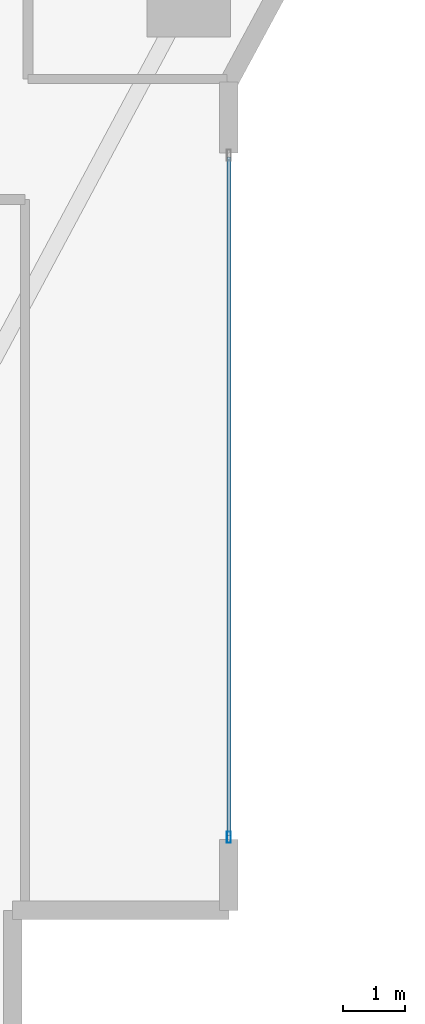
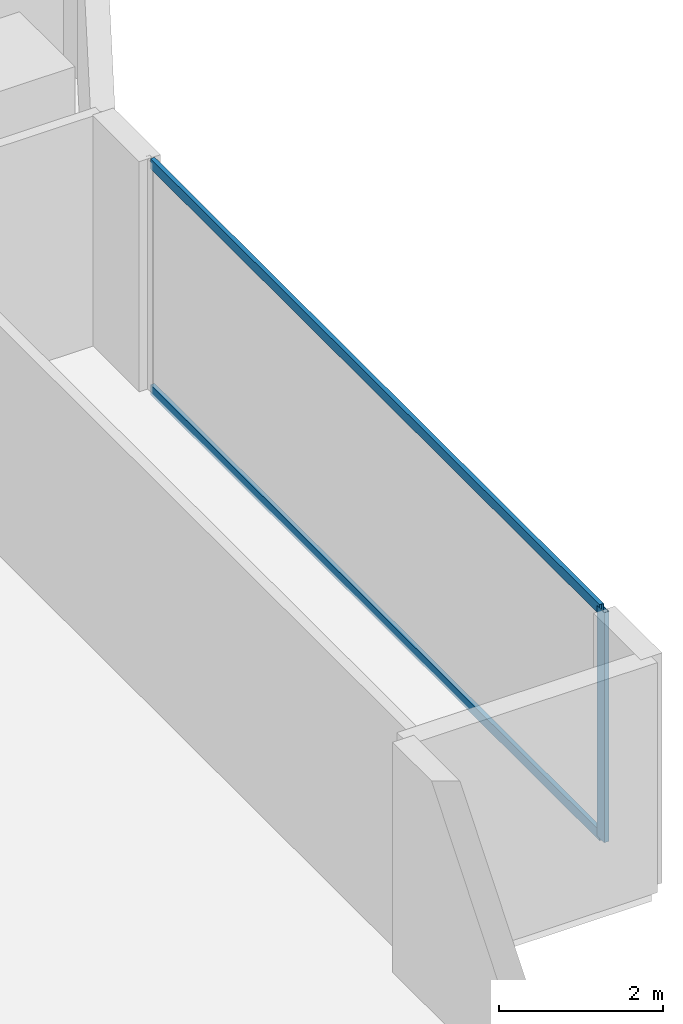
# One storey, part 11 of 27: 3 members, 1 element without a shape of its own.
"""IFC4 building model written with IfcOpenShell, lengths in metres."""

from ifc_helpers import new_model, si_unit, direction, frame, origin, origin_2d, place, context, subcontext, project, spatial, hollow_rectangle, extrude, material, layer, layer_set, material_profile, profile_set, type_object, element, aggregate, save


model = new_model("IFC4")

# Units and contexts
model_context = context("Model", 3, precision=1e-05, world=origin(), true_north=direction((0.0, 1.0)))
body_context = subcontext(model_context, "Body", "Model", "MODEL_VIEW")
ifc_project = project(units=[si_unit("LENGTHUNIT", "METRE"), si_unit("AREAUNIT", "SQUARE_METRE"), si_unit("VOLUMEUNIT", "CUBIC_METRE"), si_unit("PLANEANGLEUNIT", "RADIAN"), si_unit("MASSUNIT", "GRAM", prefix="KILO")], contexts=[model_context])

# Site, building, storey
site_placement = place(None, origin())
site = spatial("IfcSite", under=ifc_project, at=site_placement, CompositionType="ELEMENT")
building_placement = place(site_placement, origin())
building = spatial("IfcBuilding", under=site, at=building_placement, Name="Zuhayl Quay Hotel", CompositionType="ELEMENT")
storey_placement = place(building_placement, frame((0.0, 0.0, 124.85009765625)))
storey = spatial("IfcBuildingStorey", under=building, at=storey_placement, Name="L31", CompositionType="ELEMENT", Elevation=124.85009765625)

# Curtain wall, members
ifc_material_1 = material(Name="Anodised Aluminium 6063-T6", Category="aluminium")
ifc_layer = layer(ifc_material_1, 0.179931640625, Name="Anodised Aluminium 6063-T6", Category="aluminium")
ifc_layer_set = layer_set([ifc_layer], Name="Anodised Aluminium 6063-T6")
curtain_wall_type = type_object("IfcCurtainWallType", Name="CW_SYS_Z2", PredefinedType="USERDEFINED", material=ifc_layer_set)
curtain_wall_placement = place(storey_placement, origin())
curtain_wall = element("IfcCurtainWall", 1, at=curtain_wall_placement, inside=storey, type_object=curtain_wall_type, Name="L31 Curtain Wall ENV_L31_E14_CW1", ObjectType="UNITISED CURTAIN WALL", PredefinedType="USERDEFINED")
ifc_material_2 = material(Name="Black-anodised aluminium 6063-T6", Category="aluminium")
ifc_material_profile_1 = material_profile(ifc_material_2, hollow_rectangle(XDim=0.06494140625, YDim=0.179931640625, WallThickness=0.00341796875, at=origin_2d()), Name="ALU180X65")
ifc_profile_set_1 = profile_set([ifc_material_profile_1], Name="Black-anodised aluminium 6063-T6")
member_type_1 = type_object("IfcMemberType", Name="MB_CW_MUL_180", PredefinedType="MULLION", material=ifc_profile_set_1)
member_1_placement = place(storey_placement, frame((23.89990234375, -10.717529296875, 0.0), z_axis=(0.0, 0.0, 1.0), x_axis=(1.0, 0.0, 0.0)))
member_1 = element("IfcMember", 2, at=member_1_placement, type_object=member_type_1, Name="CW-Z2 mullion 2", PredefinedType="MULLION", context=body_context, shape_type="SweptSolid", body=[
    extrude(hollow_rectangle(XDim=0.06494140625, YDim=0.179931640625, WallThickness=0.00341796875, at=origin_2d()), origin(), (0.0, 0.0, 1.0), 3.429931640625),
])
ifc_material_profile_2 = material_profile(ifc_material_2, hollow_rectangle(XDim=0.06005859375, YDim=0.14990234375, WallThickness=0.00341796875, at=origin_2d()), Name="ALU150X60")
ifc_profile_set_2 = profile_set([ifc_material_profile_2], Name="Black-anodised aluminium 6063-T6")
member_type_2 = type_object("IfcMemberType", Name="MB_CW_TRN_150", PredefinedType="USERDEFINED", material=ifc_profile_set_2)
member_2_placement = place(storey_placement, frame((23.89990234375, 0.284912109375, 0.02978515625), z_axis=(0.0, -1.0, 0.0), x_axis=(1.0, 0.0, 0.0)))
member_2 = element("IfcMember", 3, at=member_2_placement, type_object=member_type_2, Name="CW-Z2 transom 1.1", ObjectType="TRANSOM", PredefinedType="USERDEFINED", context=body_context, shape_type="SweptSolid", body=[
    extrude(hollow_rectangle(XDim=0.06005859375, YDim=0.14990234375, WallThickness=0.00341796875, at=origin_2d()), origin(), (0.0, 0.0, 1.0), 10.969970703125),
])
member_3_placement = place(storey_placement, frame((23.89990234375, 0.284912109375, 3.39990234375), z_axis=(0.0, -1.0, 0.0), x_axis=(1.0, 0.0, 0.0)))
member_3 = element("IfcMember", 4, at=member_3_placement, type_object=member_type_2, Name="CW-Z2 transom 1.2", ObjectType="TRANSOM", PredefinedType="USERDEFINED", context=body_context, shape_type="SweptSolid", body=[
    extrude(hollow_rectangle(XDim=0.06005859375, YDim=0.14990234375, WallThickness=0.00341796875, at=origin_2d()), origin(), (0.0, 0.0, 1.0), 10.969970703125),
])
aggregate(curtain_wall, [member_1, member_2, member_3])

save(model, "model.ifc")
